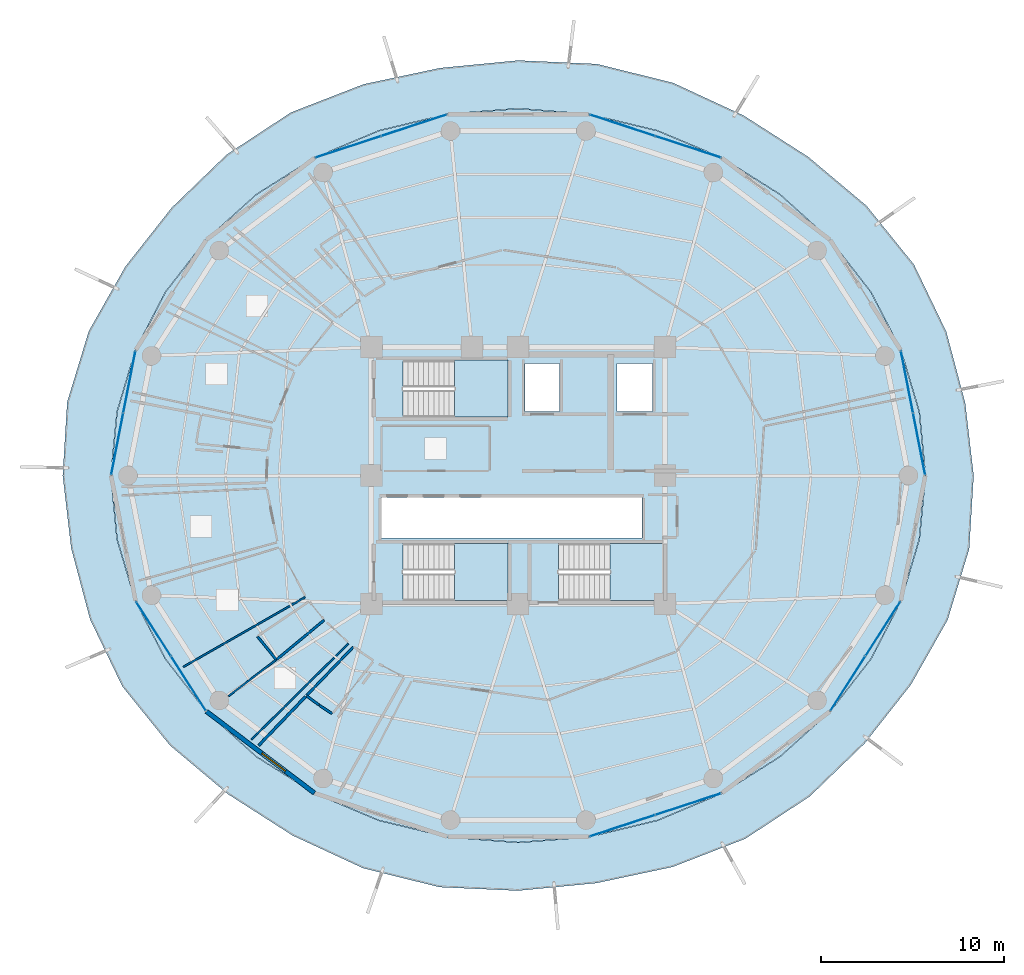
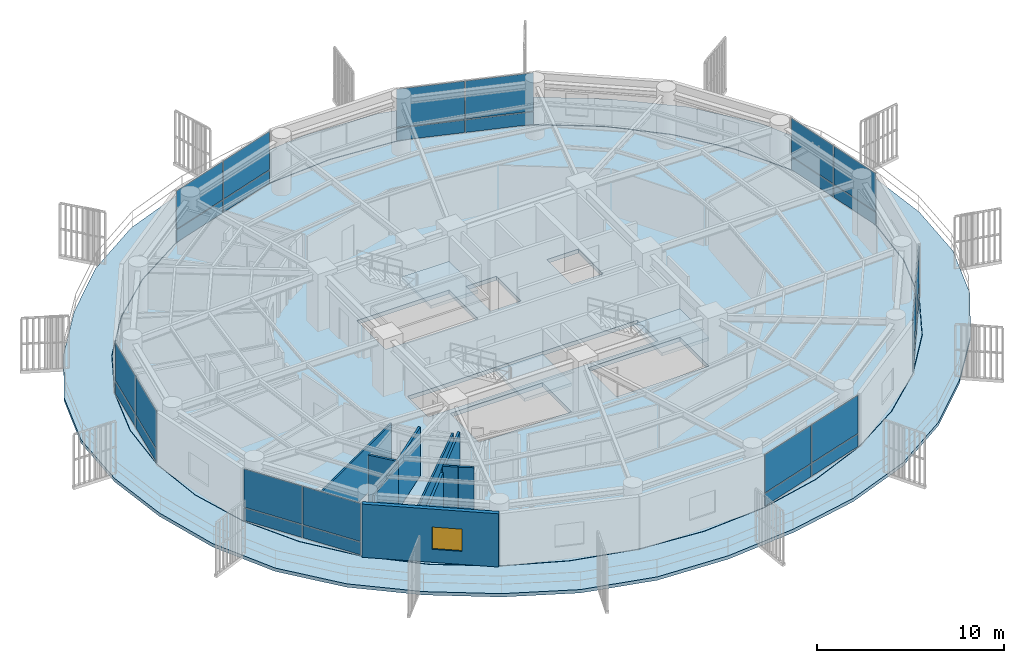
# One storey, part 22 of 30: 28 plates, 10 walls, 5 slabs, 1 window, 1 opening, 10 elements without a shape of their own.
"""IFC4 building model written with IfcOpenShell, lengths in metres."""

from ifc_helpers import new_model, si_unit, direction, frame, frame_2d, origin, origin_2d, place, context, subcontext, project, spatial, polyline, rectangle, outline, extrude, source, transform, mapped, material, layer, layer_set, type_object, element, fill, aggregate, save


model = new_model("IFC4")

# Units and contexts
model_context = context("Model", 3, precision=1e-05, world=origin(), true_north=direction((0.0, 1.0)))
body_context = subcontext(model_context, "Body", "Model", "MODEL_VIEW")
ifc_project = project(units=[si_unit("LENGTHUNIT", "METRE"), si_unit("AREAUNIT", "SQUARE_METRE"), si_unit("VOLUMEUNIT", "CUBIC_METRE"), si_unit("PLANEANGLEUNIT", "RADIAN"), si_unit("MASSUNIT", "GRAM", prefix="KILO")], contexts=[model_context])

# Site, building, storey
site_placement = place(None, origin())
site = spatial("IfcSite", under=ifc_project, at=site_placement, CompositionType="ELEMENT")
building_placement = place(site_placement, origin())
building = spatial("IfcBuilding", under=site, at=building_placement, Name="Kelanora Arch Commons", CompositionType="ELEMENT")
storey_placement = place(building_placement, frame((0.0, 0.0, 204.449951171875)))
storey = spatial("IfcBuildingStorey", under=building, at=storey_placement, Name="L52", CompositionType="ELEMENT", Elevation=204.449951171875)

# Stair, slab
ifc_material_1 = material(Name="Concrete C40/50", Category="concrete")
stair_type = type_object("IfcStairType", Name="STR-DL-375", PredefinedType="HALF_TURN_STAIR", material=ifc_material_1)
stair_1_placement = place(storey_placement, origin())
stair_1 = element("IfcStair", 1, at=stair_1_placement, inside=storey, type_object=stair_type, Name="L52 ST-T1", PredefinedType="HALF_TURN_STAIR")
ifc_layer_1 = layer(ifc_material_1, 0.199951171875)
ifc_layer_set_1 = layer_set([ifc_layer_1], Name="Concrete C40/50")
slab_type_1 = type_object("IfcSlabType", Name="SLB-STAIR-LND", PredefinedType="LANDING", material=ifc_layer_set_1)
slab_1_placement = place(storey_placement, frame((0.0, 0.0, 1.675048828125)))
slab_1 = element("IfcSlab", 2, at=slab_1_placement, type_object=slab_type_1, Name="ST-T1 landing 1", PredefinedType="LANDING", context=body_context, shape_type="SweptSolid", body=[
    extrude(outline(polyline([(70.52001953125, 61.179931640625), (73.43994140625, 61.179931640625), (73.43994140625, 64.2900390625), (70.52001953125, 64.2900390625), (70.52001953125, 61.179931640625)])), origin(), (0.0, 0.0, 1.0), 0.199951171875),
])
aggregate(stair_1, [slab_1])

stair_2_placement = place(storey_placement, origin())
stair_2 = element("IfcStair", 3, at=stair_2_placement, inside=storey, type_object=stair_type, Name="L52 ST-T2", PredefinedType="HALF_TURN_STAIR")
slab_2_placement = place(storey_placement, frame((0.0, 0.0, 1.675048828125)))
slab_2 = element("IfcSlab", 4, at=slab_2_placement, type_object=slab_type_1, Name="ST-T2 landing 1", PredefinedType="LANDING", context=body_context, shape_type="SweptSolid", body=[
    extrude(outline(polyline([(79.0, 51.179931640625), (81.919921875, 51.179931640625), (81.919921875, 54.2900390625), (79.0, 54.2900390625), (79.0, 51.179931640625)])), origin(), (0.0, 0.0, 1.0), 0.199951171875),
])
aggregate(stair_2, [slab_2])

stair_3_placement = place(storey_placement, origin())
stair_3 = element("IfcStair", 5, at=stair_3_placement, inside=storey, type_object=stair_type, Name="L52 ST-T3", PredefinedType="HALF_TURN_STAIR")
slab_3_placement = place(storey_placement, frame((0.0, 0.0, 1.675048828125)))
slab_3 = element("IfcSlab", 6, at=slab_3_placement, type_object=slab_type_1, Name="ST-T3 landing 1", PredefinedType="LANDING", context=body_context, shape_type="SweptSolid", body=[
    extrude(outline(polyline([(70.52001953125, 51.179931640625), (73.43994140625, 51.179931640625), (73.43994140625, 54.2900390625), (70.52001953125, 54.2900390625), (70.52001953125, 51.179931640625)])), origin(), (0.0, 0.0, 1.0), 0.199951171875),
])
aggregate(stair_3, [slab_3])

# Slabs
ifc_layer_2 = layer(ifc_material_1, 0.260009765625)
ifc_layer_set_2 = layer_set([ifc_layer_2], Name="Concrete C40/50")
slab_type_2 = type_object("IfcSlabType", Name="SLB-TWR-TYP", PredefinedType="FLOOR", material=ifc_layer_set_2)
slab_4_placement = place(storey_placement, frame((0.0, 0.0, -0.260009765625)))
element("IfcSlab", 7, at=slab_4_placement, inside=storey, type_object=slab_type_2, Name="Tower Floor Slab L52", PredefinedType="FLOOR", context=body_context, shape_type="SweptSolid", body=[
    extrude(outline(polyline([(96.199951171875, 58.0), (95.86279296875, 61.472900390625), (94.861083984375, 64.84033203125), (93.225830078125, 68.0), (91.006103515625, 70.855712890625), (88.27001953125, 73.32080078125), (85.10009765625, 75.320556640625), (81.5927734375, 76.7939453125), (77.85498046875, 77.6962890625), (74.0, 78.0), (70.14501953125, 77.6962890625), (66.4072265625, 76.7939453125), (62.89990234375, 75.320556640625), (59.72998046875, 73.32080078125), (56.993896484375, 70.855712890625), (54.774169921875, 68.0), (53.138916015625, 64.84033203125), (52.13720703125, 61.472900390625), (51.800048828125, 58.0), (52.13720703125, 54.527099609375), (53.138916015625, 51.15966796875), (54.774169921875, 48.0), (56.993896484375, 45.144287109375), (59.72998046875, 42.67919921875), (62.89990234375, 40.679443359375), (66.4072265625, 39.2060546875), (70.14501953125, 38.3037109375), (74.0, 38.0), (77.85498046875, 38.3037109375), (81.5927734375, 39.2060546875), (85.10009765625, 40.679443359375), (88.27001953125, 42.67919921875), (91.006103515625, 45.144287109375), (93.225830078125, 48.0), (94.861083984375, 51.15966796875), (95.86279296875, 54.527099609375), (96.199951171875, 58.0)]), holes=[polyline([(73.431884765625, 51.18798828125), (67.72802734375, 51.18798828125), (67.72802734375, 54.281982421875), (73.431884765625, 54.281982421875), (73.431884765625, 51.18798828125)]), polyline([(76.2080078125, 51.18798828125), (76.2080078125, 54.281982421875), (81.912109375, 54.281982421875), (81.912109375, 51.18798828125), (76.2080078125, 51.18798828125)]), polyline([(66.550048828125, 54.60009765625), (66.550048828125, 56.800048828125), (80.75, 56.800048828125), (80.75, 54.60009765625), (66.550048828125, 54.60009765625)]), polyline([(73.431884765625, 61.18798828125), (67.72802734375, 61.18798828125), (67.72802734375, 64.281982421875), (73.431884765625, 64.281982421875), (73.431884765625, 61.18798828125)]), polyline([(74.3798828125, 61.47998046875), (74.3798828125, 64.1201171875), (76.260009765625, 64.1201171875), (76.260009765625, 61.47998046875), (74.3798828125, 61.47998046875)]), polyline([(79.3798828125, 61.47998046875), (79.3798828125, 64.1201171875), (81.320068359375, 64.1201171875), (81.320068359375, 61.47998046875), (79.3798828125, 61.47998046875)])]), origin(), (0.0, 0.0, 1.0), 0.260009765625),
])
ifc_layer_3 = layer(ifc_material_1, 0.219970703125)
ifc_layer_set_3 = layer_set([ifc_layer_3], Name="Concrete C40/50")
slab_type_3 = type_object("IfcSlabType", Name="SLB-WAVE-BAL", PredefinedType="FLOOR", material=ifc_layer_set_3)
slab_5_placement = place(storey_placement, frame((0.0, 0.0, -0.219970703125)))
element("IfcSlab", 8, at=slab_5_placement, inside=storey, type_object=slab_type_3, Name="Sinusoidal Wave Balcony Slab L52", PredefinedType="FLOOR", context=body_context, shape_type="SweptSolid", body=[
    extrude(outline(polyline([(98.836181640625, 58.0), (98.3740234375, 61.964599609375), (97.343505859375, 65.84326171875), (95.5791015625, 69.50830078125), (92.9951171875, 72.708251953125), (89.821533203125, 75.37353515625), (86.2998046875, 77.627197265625), (82.450927734375, 79.410888671875), (78.291259765625, 80.442626953125), (74.0, 80.635986328125), (69.74365234375, 80.223388671875), (65.572998046875, 79.337646484375), (61.610107421875, 77.80029296875), (58.091064453125, 75.4892578125), (55.11083984375, 72.609619140625), (52.585205078125, 69.40283203125), (50.585205078125, 65.8720703125), (49.407958984375, 62.007080078125), (49.163818359375, 58.0), (49.6259765625, 54.035400390625), (50.656494140625, 50.15673828125), (52.4208984375, 46.49169921875), (55.0048828125, 43.291748046875), (58.178466796875, 40.62646484375), (61.7001953125, 38.372802734375), (65.549072265625, 36.589111328125), (69.708740234375, 35.557373046875), (74.0, 35.364013671875), (78.25634765625, 35.776611328125), (82.427001953125, 36.662353515625), (86.389892578125, 38.19970703125), (89.908935546875, 40.5107421875), (92.88916015625, 43.390380859375), (95.414794921875, 46.59716796875), (97.414794921875, 50.1279296875), (98.592041015625, 53.992919921875), (98.836181640625, 58.0)]), holes=[polyline([(95.88232421875, 54.523681640625), (94.8798828125, 51.15283203125), (93.2431640625, 47.989990234375), (91.021484375, 45.13134765625), (88.28271484375, 42.663818359375), (85.110107421875, 40.662109375), (81.599609375, 39.1875), (77.8583984375, 38.2841796875), (74.0, 37.97998046875), (70.1416015625, 38.2841796875), (66.400390625, 39.1875), (62.889892578125, 40.662109375), (59.71728515625, 42.663818359375), (56.978515625, 45.13134765625), (54.7568359375, 47.989990234375), (53.1201171875, 51.15283203125), (52.11767578125, 54.523681640625), (51.780029296875, 58.0), (52.11767578125, 61.476318359375), (53.1201171875, 64.84716796875), (54.7568359375, 68.010009765625), (56.978515625, 70.86865234375), (59.71728515625, 73.336181640625), (62.889892578125, 75.337890625), (66.400390625, 76.8125), (70.1416015625, 77.7158203125), (74.0, 78.02001953125), (77.8583984375, 77.7158203125), (81.599609375, 76.8125), (85.110107421875, 75.337890625), (88.28271484375, 73.336181640625), (91.021484375, 70.86865234375), (93.2431640625, 68.010009765625), (94.8798828125, 64.84716796875), (95.88232421875, 61.476318359375), (96.219970703125, 58.0), (95.88232421875, 54.523681640625)])]), origin(), (0.0, 0.0, 1.0), 0.219970703125),
])

# Curtain wall, plates
ifc_material_2 = material(Name="Terracotta ceramic-fritted low-E glass and aluminium", Category="masonry")
ifc_layer_4 = layer(ifc_material_2, 0.175048828125)
ifc_layer_set_4 = layer_set([ifc_layer_4], Name="Terracotta ceramic-fritted low-E glass and aluminium")
curtain_wall_type = type_object("IfcCurtainWallType", Name="CW-SYS-02", PredefinedType="NOTDEFINED", material=ifc_layer_set_4)
curtain_wall_1_placement = place(storey_placement, origin())
curtain_wall_1 = element("IfcCurtainWall", 9, at=curtain_wall_1_placement, inside=storey, type_object=curtain_wall_type, Name="Unitised Curtain Wall L52-B00", PredefinedType="NOTDEFINED")
ifc_material_3 = material(Name="Terracotta ceramic-fritted double glazing", Category="masonry")
ifc_layer_5 = layer(ifc_material_3, 0.028076171875)
ifc_layer_set_5 = layer_set([ifc_layer_5], Name="Terracotta ceramic-fritted double glazing")
plate_type = type_object("IfcPlateType", Name="CWP-FRIT", PredefinedType="CURTAIN_PANEL", material=ifc_layer_set_5)
shared_shape_1 = source(origin(), body_context, "Body", "SweptSolid", [
    extrude(rectangle(XDim=3.380126953125, YDim=0.028076171875, at=origin_2d()), origin(), (0.0, 0.0, 1.0), 0.81005859375),
])
plate_1_placement = place(storey_placement, frame((95.861083984375, 59.732177734375, 0.06005859375), z_axis=(0.0, 0.0, 1.0), x_axis=(-0.192068926335, 0.981381438349, 0.0)))
plate_1 = element("IfcPlate", 10, at=plate_1_placement, type_object=plate_type, Name="CW-02 panel 1.1", PredefinedType="CURTAIN_PANEL", context=body_context, shape_type="MappedRepresentation", body=[
    mapped(shared_shape_1, transform((0.0, 0.0, 0.0), scale=1.0)),
])
plate_2_placement = place(storey_placement, frame((95.2001953125, 63.108154296875, 0.06005859375), z_axis=(0.0, 0.0, 1.0), x_axis=(-0.192068926335, 0.981381438349, 0.0)))
plate_2 = element("IfcPlate", 11, at=plate_2_placement, type_object=plate_type, Name="CW-02 panel 2.1", PredefinedType="CURTAIN_PANEL", context=body_context, shape_type="MappedRepresentation", body=[
    mapped(shared_shape_1, transform((0.0, 0.0, 0.0), scale=1.0)),
])

curtain_wall_2_placement = place(storey_placement, origin())
curtain_wall_2 = element("IfcCurtainWall", 12, at=curtain_wall_2_placement, inside=storey, type_object=curtain_wall_type, Name="Unitised Curtain Wall L52-B08", PredefinedType="NOTDEFINED")
plate_3_placement = place(storey_placement, frame((52.7998046875, 63.108154296875, 0.06005859375), z_axis=(0.0, 0.0, 1.0), x_axis=(-0.192068926335, -0.981381438349, 0.0)))
plate_3 = element("IfcPlate", 13, at=plate_3_placement, type_object=plate_type, Name="CW-02 panel 1.1", PredefinedType="CURTAIN_PANEL", context=body_context, shape_type="MappedRepresentation", body=[
    mapped(shared_shape_1, transform((0.0, 0.0, 0.0), scale=1.0)),
])
plate_4_placement = place(storey_placement, frame((52.138916015625, 59.732177734375, 0.06005859375), z_axis=(0.0, 0.0, 1.0), x_axis=(-0.192068926335, -0.981381438349, 0.0)))
plate_4 = element("IfcPlate", 14, at=plate_4_placement, type_object=plate_type, Name="CW-02 panel 2.1", PredefinedType="CURTAIN_PANEL", context=body_context, shape_type="MappedRepresentation", body=[
    mapped(shared_shape_1, transform((0.0, 0.0, 0.0), scale=1.0)),
])

# Plate
shared_shape_2 = source(origin(), body_context, "Body", "SweptSolid", [
    extrude(rectangle(XDim=3.380126953125, YDim=0.028076171875, at=origin_2d()), origin(), (0.0, 0.0, 1.0), 2.485107421875),
])
plate_5_placement = place(storey_placement, frame((95.861083984375, 59.732177734375, 0.93017578125), z_axis=(0.0, 0.0, 1.0), x_axis=(-0.192068926335, 0.981381438349, 0.0)))
plate_5 = element("IfcPlate", 15, at=plate_5_placement, type_object=plate_type, Name="CW-02 panel 1.2", PredefinedType="CURTAIN_PANEL", context=body_context, shape_type="MappedRepresentation", body=[
    mapped(shared_shape_2, transform((0.0, 0.0, 0.0), scale=1.0)),
])

plate_6_placement = place(storey_placement, frame((95.2001953125, 63.108154296875, 0.93017578125), z_axis=(0.0, 0.0, 1.0), x_axis=(-0.192068926335, 0.981381438349, 0.0)))
plate_6 = element("IfcPlate", 16, at=plate_6_placement, type_object=plate_type, Name="CW-02 panel 2.2", PredefinedType="CURTAIN_PANEL", context=body_context, shape_type="MappedRepresentation", body=[
    mapped(shared_shape_2, transform((0.0, 0.0, 0.0), scale=1.0)),
])

aggregate(curtain_wall_1, [plate_1, plate_5, plate_2, plate_6])

plate_7_placement = place(storey_placement, frame((52.7998046875, 63.108154296875, 0.93017578125), z_axis=(0.0, 0.0, 1.0), x_axis=(-0.192068926335, -0.981381438349, 0.0)))
plate_7 = element("IfcPlate", 17, at=plate_7_placement, type_object=plate_type, Name="CW-02 panel 1.2", PredefinedType="CURTAIN_PANEL", context=body_context, shape_type="MappedRepresentation", body=[
    mapped(shared_shape_2, transform((0.0, 0.0, 0.0), scale=1.0)),
])

plate_8_placement = place(storey_placement, frame((52.138916015625, 59.732177734375, 0.93017578125), z_axis=(0.0, 0.0, 1.0), x_axis=(-0.192068926335, -0.981381438349, 0.0)))
plate_8 = element("IfcPlate", 18, at=plate_8_placement, type_object=plate_type, Name="CW-02 panel 2.2", PredefinedType="CURTAIN_PANEL", context=body_context, shape_type="MappedRepresentation", body=[
    mapped(shared_shape_2, transform((0.0, 0.0, 0.0), scale=1.0)),
])

aggregate(curtain_wall_2, [plate_3, plate_7, plate_4, plate_8])

# Curtain wall, plates
curtain_wall_3_placement = place(storey_placement, origin())
curtain_wall_3 = element("IfcCurtainWall", 19, at=curtain_wall_3_placement, inside=storey, type_object=curtain_wall_type, Name="Unitised Curtain Wall L52-B03", PredefinedType="NOTDEFINED")
shared_shape_3 = source(origin(), body_context, "Body", "SweptSolid", [
    extrude(rectangle(XDim=3.707275390625, YDim=0.028076171875, at=origin_2d()), origin(), (0.0, 0.0, 1.0), 0.81005859375),
])
plate_9_placement = place(storey_placement, frame((83.267333984375, 75.92138671875, 0.06005859375), z_axis=(0.0, 0.0, 1.0), x_axis=(-0.950219124029, 0.311582439059, 0.0)))
plate_9 = element("IfcPlate", 20, at=plate_9_placement, type_object=plate_type, Name="CW-02 panel 1.1", PredefinedType="CURTAIN_PANEL", context=body_context, shape_type="MappedRepresentation", body=[
    mapped(shared_shape_3, transform((0.0, 0.0, 0.0), scale=1.0)),
])
plate_10_placement = place(storey_placement, frame((79.687744140625, 77.09521484375, 0.06005859375), z_axis=(0.0, 0.0, 1.0), x_axis=(-0.950219124029, 0.311582439059, 0.0)))
plate_10 = element("IfcPlate", 21, at=plate_10_placement, type_object=plate_type, Name="CW-02 panel 2.1", PredefinedType="CURTAIN_PANEL", context=body_context, shape_type="MappedRepresentation", body=[
    mapped(shared_shape_3, transform((0.0, 0.0, 0.0), scale=1.0)),
])

curtain_wall_4_placement = place(storey_placement, origin())
curtain_wall_4 = element("IfcCurtainWall", 22, at=curtain_wall_4_placement, inside=storey, type_object=curtain_wall_type, Name="Unitised Curtain Wall L52-B05", PredefinedType="NOTDEFINED")
plate_11_placement = place(storey_placement, frame((68.312255859375, 77.09521484375, 0.06005859375), z_axis=(0.0, 0.0, 1.0), x_axis=(-0.950219124029, -0.311582439059, 0.0)))
plate_11 = element("IfcPlate", 23, at=plate_11_placement, type_object=plate_type, Name="CW-02 panel 1.1", PredefinedType="CURTAIN_PANEL", context=body_context, shape_type="MappedRepresentation", body=[
    mapped(shared_shape_3, transform((0.0, 0.0, 0.0), scale=1.0)),
])
plate_12_placement = place(storey_placement, frame((64.732666015625, 75.92138671875, 0.06005859375), z_axis=(0.0, 0.0, 1.0), x_axis=(-0.950219124029, -0.311582439059, 0.0)))
plate_12 = element("IfcPlate", 24, at=plate_12_placement, type_object=plate_type, Name="CW-02 panel 2.1", PredefinedType="CURTAIN_PANEL", context=body_context, shape_type="MappedRepresentation", body=[
    mapped(shared_shape_3, transform((0.0, 0.0, 0.0), scale=1.0)),
])

curtain_wall_5_placement = place(storey_placement, origin())
curtain_wall_5 = element("IfcCurtainWall", 25, at=curtain_wall_5_placement, inside=storey, type_object=curtain_wall_type, Name="Unitised Curtain Wall L52-B14", PredefinedType="NOTDEFINED")
plate_13_placement = place(storey_placement, frame((79.687744140625, 38.90478515625, 0.06005859375), z_axis=(0.0, 0.0, 1.0), x_axis=(0.950219124029, 0.311582439059, 0.0)))
plate_13 = element("IfcPlate", 26, at=plate_13_placement, type_object=plate_type, Name="CW-02 panel 1.1", PredefinedType="CURTAIN_PANEL", context=body_context, shape_type="MappedRepresentation", body=[
    mapped(shared_shape_3, transform((0.0, 0.0, 0.0), scale=1.0)),
])
plate_14_placement = place(storey_placement, frame((83.267333984375, 40.07861328125, 0.06005859375), z_axis=(0.0, 0.0, 1.0), x_axis=(0.950219124029, 0.311582439059, 0.0)))
plate_14 = element("IfcPlate", 27, at=plate_14_placement, type_object=plate_type, Name="CW-02 panel 2.1", PredefinedType="CURTAIN_PANEL", context=body_context, shape_type="MappedRepresentation", body=[
    mapped(shared_shape_3, transform((0.0, 0.0, 0.0), scale=1.0)),
])

# Plate
shared_shape_4 = source(origin(), body_context, "Body", "SweptSolid", [
    extrude(rectangle(XDim=3.707275390625, YDim=0.028076171875, at=origin_2d()), origin(), (0.0, 0.0, 1.0), 2.485107421875),
])
plate_15_placement = place(storey_placement, frame((83.267333984375, 75.92138671875, 0.93017578125), z_axis=(0.0, 0.0, 1.0), x_axis=(-0.950219124029, 0.311582439059, 0.0)))
plate_15 = element("IfcPlate", 28, at=plate_15_placement, type_object=plate_type, Name="CW-02 panel 1.2", PredefinedType="CURTAIN_PANEL", context=body_context, shape_type="MappedRepresentation", body=[
    mapped(shared_shape_4, transform((0.0, 0.0, 0.0), scale=1.0)),
])

plate_16_placement = place(storey_placement, frame((79.687744140625, 77.09521484375, 0.93017578125), z_axis=(0.0, 0.0, 1.0), x_axis=(-0.950219124029, 0.311582439059, 0.0)))
plate_16 = element("IfcPlate", 29, at=plate_16_placement, type_object=plate_type, Name="CW-02 panel 2.2", PredefinedType="CURTAIN_PANEL", context=body_context, shape_type="MappedRepresentation", body=[
    mapped(shared_shape_4, transform((0.0, 0.0, 0.0), scale=1.0)),
])

aggregate(curtain_wall_3, [plate_9, plate_15, plate_10, plate_16])

plate_17_placement = place(storey_placement, frame((68.312255859375, 77.09521484375, 0.93017578125), z_axis=(0.0, 0.0, 1.0), x_axis=(-0.950219124029, -0.311582439059, 0.0)))
plate_17 = element("IfcPlate", 30, at=plate_17_placement, type_object=plate_type, Name="CW-02 panel 1.2", PredefinedType="CURTAIN_PANEL", context=body_context, shape_type="MappedRepresentation", body=[
    mapped(shared_shape_4, transform((0.0, 0.0, 0.0), scale=1.0)),
])

plate_18_placement = place(storey_placement, frame((64.732666015625, 75.92138671875, 0.93017578125), z_axis=(0.0, 0.0, 1.0), x_axis=(-0.950219124029, -0.311582439059, 0.0)))
plate_18 = element("IfcPlate", 31, at=plate_18_placement, type_object=plate_type, Name="CW-02 panel 2.2", PredefinedType="CURTAIN_PANEL", context=body_context, shape_type="MappedRepresentation", body=[
    mapped(shared_shape_4, transform((0.0, 0.0, 0.0), scale=1.0)),
])

aggregate(curtain_wall_4, [plate_11, plate_17, plate_12, plate_18])

plate_19_placement = place(storey_placement, frame((79.687744140625, 38.90478515625, 0.93017578125), z_axis=(0.0, 0.0, 1.0), x_axis=(0.950219124029, 0.311582439059, 0.0)))
plate_19 = element("IfcPlate", 32, at=plate_19_placement, type_object=plate_type, Name="CW-02 panel 1.2", PredefinedType="CURTAIN_PANEL", context=body_context, shape_type="MappedRepresentation", body=[
    mapped(shared_shape_4, transform((0.0, 0.0, 0.0), scale=1.0)),
])

plate_20_placement = place(storey_placement, frame((83.267333984375, 40.07861328125, 0.93017578125), z_axis=(0.0, 0.0, 1.0), x_axis=(0.950219124029, 0.311582439059, 0.0)))
plate_20 = element("IfcPlate", 33, at=plate_20_placement, type_object=plate_type, Name="CW-02 panel 2.2", PredefinedType="CURTAIN_PANEL", context=body_context, shape_type="MappedRepresentation", body=[
    mapped(shared_shape_4, transform((0.0, 0.0, 0.0), scale=1.0)),
])

aggregate(curtain_wall_5, [plate_13, plate_19, plate_14, plate_20])

# Curtain wall, plates
curtain_wall_6_placement = place(storey_placement, origin())
curtain_wall_6 = element("IfcCurtainWall", 34, at=curtain_wall_6_placement, inside=storey, type_object=curtain_wall_type, Name="Unitised Curtain Wall L52-B10", PredefinedType="NOTDEFINED")
shared_shape_5 = source(origin(), body_context, "Body", "SweptSolid", [
    extrude(rectangle(XDim=3.46728515625, YDim=0.028076171875, at=origin_2d()), origin(), (0.0, 0.0, 1.0), 0.81005859375),
])
plate_21_placement = place(storey_placement, frame((54.11474609375, 49.63671875, 0.06005859375), z_axis=(0.0, 0.0, 1.0), x_axis=(0.539559338994, -0.84194757539, 0.0)))
plate_21 = element("IfcPlate", 35, at=plate_21_placement, type_object=plate_type, Name="CW-02 panel 1.1", PredefinedType="CURTAIN_PANEL", context=body_context, shape_type="MappedRepresentation", body=[
    mapped(shared_shape_5, transform((0.0, 0.0, 0.0), scale=1.0)),
])
plate_22_placement = place(storey_placement, frame((56.017822265625, 46.6669921875, 0.06005859375), z_axis=(0.0, 0.0, 1.0), x_axis=(0.539559338994, -0.84194757539, 0.0)))
plate_22 = element("IfcPlate", 36, at=plate_22_placement, type_object=plate_type, Name="CW-02 panel 2.1", PredefinedType="CURTAIN_PANEL", context=body_context, shape_type="MappedRepresentation", body=[
    mapped(shared_shape_5, transform((0.0, 0.0, 0.0), scale=1.0)),
])

curtain_wall_7_placement = place(storey_placement, origin())
curtain_wall_7 = element("IfcCurtainWall", 37, at=curtain_wall_7_placement, inside=storey, type_object=curtain_wall_type, Name="Unitised Curtain Wall L52-B16", PredefinedType="NOTDEFINED")
plate_23_placement = place(storey_placement, frame((91.982177734375, 46.6669921875, 0.06005859375), z_axis=(0.0, 0.0, 1.0), x_axis=(0.539559338994, 0.84194757539, 0.0)))
plate_23 = element("IfcPlate", 38, at=plate_23_placement, type_object=plate_type, Name="CW-02 panel 1.1", PredefinedType="CURTAIN_PANEL", context=body_context, shape_type="MappedRepresentation", body=[
    mapped(shared_shape_5, transform((0.0, 0.0, 0.0), scale=1.0)),
])
plate_24_placement = place(storey_placement, frame((93.88525390625, 49.63671875, 0.06005859375), z_axis=(0.0, 0.0, 1.0), x_axis=(0.539559338994, 0.84194757539, 0.0)))
plate_24 = element("IfcPlate", 39, at=plate_24_placement, type_object=plate_type, Name="CW-02 panel 2.1", PredefinedType="CURTAIN_PANEL", context=body_context, shape_type="MappedRepresentation", body=[
    mapped(shared_shape_5, transform((0.0, 0.0, 0.0), scale=1.0)),
])

# Plate
shared_shape_6 = source(origin(), body_context, "Body", "SweptSolid", [
    extrude(rectangle(XDim=3.46728515625, YDim=0.028076171875, at=origin_2d()), origin(), (0.0, 0.0, 1.0), 2.485107421875),
])
plate_25_placement = place(storey_placement, frame((54.11474609375, 49.63671875, 0.93017578125), z_axis=(0.0, 0.0, 1.0), x_axis=(0.539559338994, -0.84194757539, 0.0)))
plate_25 = element("IfcPlate", 40, at=plate_25_placement, type_object=plate_type, Name="CW-02 panel 1.2", PredefinedType="CURTAIN_PANEL", context=body_context, shape_type="MappedRepresentation", body=[
    mapped(shared_shape_6, transform((0.0, 0.0, 0.0), scale=1.0)),
])

plate_26_placement = place(storey_placement, frame((56.017822265625, 46.6669921875, 0.93017578125), z_axis=(0.0, 0.0, 1.0), x_axis=(0.539559338994, -0.84194757539, 0.0)))
plate_26 = element("IfcPlate", 41, at=plate_26_placement, type_object=plate_type, Name="CW-02 panel 2.2", PredefinedType="CURTAIN_PANEL", context=body_context, shape_type="MappedRepresentation", body=[
    mapped(shared_shape_6, transform((0.0, 0.0, 0.0), scale=1.0)),
])

aggregate(curtain_wall_6, [plate_21, plate_25, plate_22, plate_26])

plate_27_placement = place(storey_placement, frame((91.982177734375, 46.6669921875, 0.93017578125), z_axis=(0.0, 0.0, 1.0), x_axis=(0.539559338994, 0.84194757539, 0.0)))
plate_27 = element("IfcPlate", 42, at=plate_27_placement, type_object=plate_type, Name="CW-02 panel 1.2", PredefinedType="CURTAIN_PANEL", context=body_context, shape_type="MappedRepresentation", body=[
    mapped(shared_shape_6, transform((0.0, 0.0, 0.0), scale=1.0)),
])

plate_28_placement = place(storey_placement, frame((93.88525390625, 49.63671875, 0.93017578125), z_axis=(0.0, 0.0, 1.0), x_axis=(0.539559338994, 0.84194757539, 0.0)))
plate_28 = element("IfcPlate", 43, at=plate_28_placement, type_object=plate_type, Name="CW-02 panel 2.2", PredefinedType="CURTAIN_PANEL", context=body_context, shape_type="MappedRepresentation", body=[
    mapped(shared_shape_6, transform((0.0, 0.0, 0.0), scale=1.0)),
])

aggregate(curtain_wall_7, [plate_23, plate_27, plate_24, plate_28])

# Wall
ifc_material_4 = material(Name="Autoclaved aerated concrete blockwork with fire plaster", Category="masonry")
ifc_layer_6 = layer(ifc_material_4, 0.14990234375)
ifc_layer_set_6 = layer_set([ifc_layer_6], Name="Autoclaved aerated concrete blockwork with fire plaster")
wall_type_1 = type_object("IfcWallType", Name="W-COMP-150", PredefinedType="PARTITIONING", material=ifc_layer_set_6)
wall_1_placement = place(storey_placement, frame((59.854736328125, 43.287841796875, 0.0), z_axis=(0.0, 0.0, 1.0), x_axis=(0.692562282737, 0.72135808343, 0.0)))
element("IfcWall", 44, at=wall_1_placement, inside=storey, type_object=wall_type_1, Name="Co-Living Studio L52-08 Enclosure Partition 5", PredefinedType="PARTITIONING", context=body_context, shape_type="SweptSolid", body=[
    extrude(rectangle(XDim=3.671142578125, YDim=0.14990234375, at=frame_2d((1.83544921875, 0.0))), origin(), (0.0, 0.0, 1.0), 3.074951171875),
])

# Wall, opening, window
ifc_material_5 = material(Name="Precast concrete C40/50 upper-zone terracotta rainscreen", Category="masonry")
ifc_layer_7 = layer(ifc_material_5, 0.239990234375)
ifc_layer_set_7 = layer_set([ifc_layer_7], Name="Precast concrete C40/50 upper-zone terracotta rainscreen")
wall_type_2 = type_object("IfcWallType", Name="W-EXT-TC2", PredefinedType="SOLIDWALL", material=ifc_layer_set_7)
wall_2_placement = place(storey_placement, frame((57.005859375, 45.13525390625, 0.0), z_axis=(0.0, 0.0, 1.0), x_axis=(0.797701674595, -0.603052268338, 0.0)))
wall_2 = element("IfcWall", 45, at=wall_2_placement, inside=storey, type_object=wall_type_2, Name="Terracotta Exterior Wall L52-B11", PredefinedType="SOLIDWALL", context=body_context, shape_type="SweptSolid", body=[
    extrude(rectangle(XDim=7.373779296875, YDim=0.239990234375, at=frame_2d((3.68701171875, 0.0))), origin(), (0.0, 0.0, 1.0), 3.47509765625),
])
opening_placement = place(wall_2_placement, frame((3.787109375, 0.0, 0.85009765625)))
opening = element("IfcOpeningElement", 46, at=opening_placement, cuts=wall_2, Name="Opening WN-01", PredefinedType="OPENING", context=body_context, shape_type="SweptSolid", body=[
    extrude(rectangle(XDim=1.60009765625, YDim=1.449951171875, at=frame_2d((0.800048828125, 0.72509765625))), frame((0.0, 0.1298828125, 0.0), z_axis=(0.0, -1.0, 0.0), x_axis=(1.0, 0.0, 0.0)), (0.0, 0.0, 1.0), 0.260009765625),
])
ifc_material_6 = material(Name="Terracotta-anodised aluminium frame with operable low-E glazing", Category="masonry")
window_type = type_object("IfcWindowType", Name="WIN-CL-18", PartitioningType="DOUBLE_PANEL_VERTICAL", PredefinedType="WINDOW", material=ifc_material_6)
window_placement = place(opening_placement, origin())
window = element("IfcWindow", 47, at=window_placement, inside=storey, type_object=window_type, Name="Co-Living Operable Window L52-B11", OverallHeight=1.449951171875, OverallWidth=1.60009765625, PartitioningType="SINGLE_PANEL", PredefinedType="WINDOW", context=body_context, shape_type="SweptSolid", body=[
    extrude(rectangle(XDim=1.60009765625, YDim=1.449951171875, at=frame_2d((0.800048828125, 0.72509765625))), frame((0.0, 0.030029296875, 0.0), z_axis=(0.0, -1.0, 0.0), x_axis=(1.0, 0.0, 0.0)), (0.0, 0.0, 1.0), 0.06005859375),
])
fill(opening, window)

# Walls
ifc_material_7 = material(Name="Lightweight fire-rated acoustic stud partition")
ifc_layer_8 = layer(ifc_material_7, 0.10009765625)
ifc_layer_set_8 = layer_set([ifc_layer_8], Name="Lightweight fire-rated acoustic stud partition")
wall_type_3 = type_object("IfcWallType", Name="W-PART-100", PredefinedType="PARTITIONING", material=ifc_layer_set_8)
wall_3_placement = place(storey_placement, frame((62.37939453125, 51.364013671875, 0.0), z_axis=(0.0, 0.0, 1.0), x_axis=(-0.868127220156, -0.496341746808, 0.0)))
element("IfcWall", 48, at=wall_3_placement, inside=storey, type_object=wall_type_3, Name="Social Sky Lounge L52-06 Enclosure Partition 2", PredefinedType="PARTITIONING", context=body_context, shape_type="SweptSolid", body=[
    extrude(rectangle(XDim=7.648193359375, YDim=0.10009765625, at=frame_2d((3.82421875, 0.0))), origin(), (0.0, 0.0, 1.0), 3.025146484375),
])
wall_4_placement = place(storey_placement, frame((64.74462890625, 48.8408203125, 0.0), z_axis=(0.0, 0.0, 1.0), x_axis=(-0.710363664194, -0.703834827635, 0.0)))
element("IfcWall", 49, at=wall_4_placement, inside=storey, type_object=wall_type_3, Name="Tutorial Study Alcove L52-07 Enclosure Partition 2", PredefinedType="PARTITIONING", context=body_context, shape_type="SweptSolid", body=[
    extrude(rectangle(XDim=7.44140625, YDim=0.10009765625, at=frame_2d((3.720703125, 0.0))), origin(), (0.0, 0.0, 1.0), 3.074951171875),
])
wall_5_placement = place(storey_placement, frame((58.19677734375, 45.968505859375, 0.0), z_axis=(0.0, 0.0, 1.0), x_axis=(0.79535379018, 0.606145484555, 0.0)))
element("IfcWall", 50, at=wall_5_placement, inside=storey, type_object=wall_type_3, Name="Tutorial Study Alcove L52-07 Enclosure Partition 4", PredefinedType="PARTITIONING", context=body_context, shape_type="SweptSolid", body=[
    extrude(rectangle(XDim=3.308349609375, YDim=0.10009765625, at=frame_2d((1.654296875, 0.0))), origin(), (0.0, 0.0, 1.0), 3.025146484375),
])
ifc_material_8 = material(Name="Moisture-resistant fire-rated cement-board plumbing wall")
ifc_layer_9 = layer(ifc_material_8, 0.1298828125)
ifc_layer_set_9 = layer_set([ifc_layer_9], Name="Moisture-resistant fire-rated cement-board plumbing wall")
wall_type_4 = type_object("IfcWallType", Name="W-WET-120", PredefinedType="PLUMBINGWALL", material=ifc_layer_set_9)
wall_6_placement = place(storey_placement, frame((63.41748046875, 50.115234375, 0.0), z_axis=(0.0, 0.0, 1.0), x_axis=(-0.76963081868, -0.638489156477, 0.0)))
element("IfcWall", 51, at=wall_6_placement, inside=storey, type_object=wall_type_4, Name="Accessible Shared Floor WC L52-07 Enclosure Partition 2", PredefinedType="PLUMBINGWALL", context=body_context, shape_type="SweptSolid", body=[
    extrude(rectangle(XDim=3.3603515625, YDim=0.1298828125, at=frame_2d((1.68017578125, 0.0))), origin(), (0.0, 0.0, 1.0), 3.175048828125),
])
wall_7_placement = place(storey_placement, frame((60.803466796875, 47.972412109375, 0.0), z_axis=(0.0, 0.0, 1.0), x_axis=(-0.631048835574, 0.775743106396, 0.0)))
element("IfcWall", 52, at=wall_7_placement, inside=storey, type_object=wall_type_4, Name="Accessible Shared Floor WC L52-07 Enclosure Partition 3", PredefinedType="PLUMBINGWALL", context=body_context, shape_type="SweptSolid", body=[
    extrude(rectangle(XDim=1.611328125, YDim=0.1298828125, at=frame_2d((0.8056640625, 0.0))), origin(), (0.0, 0.0, 1.0), 3.175048828125),
])
wall_8_placement = place(storey_placement, frame((63.851318359375, 45.01513671875, 0.0), z_axis=(0.0, 0.0, 1.0), x_axis=(-0.833365951339, 0.552721621749, 0.0)))
element("IfcWall", 53, at=wall_8_placement, inside=storey, type_object=wall_type_4, Name="En-Suite Shower WC L52-08 Enclosure Partition 4", PredefinedType="PLUMBINGWALL", context=body_context, shape_type="SweptSolid", body=[
    extrude(rectangle(XDim=0.826416015625, YDim=0.1298828125, at=frame_2d((0.4130859375, 0.0))), origin(), (0.0, 0.0, 1.0), 3.47998046875),
])
wall_9_placement = place(storey_placement, frame((63.1298828125, 45.494873046875, 0.0), z_axis=(0.0, 0.0, 1.0), x_axis=(-0.805130367536, 0.593097876638, 0.0)))
element("IfcWall", 54, at=wall_9_placement, inside=storey, type_object=wall_type_4, Name="En-Suite Shower WC L52-08 Enclosure Partition 5", PredefinedType="PLUMBINGWALL", context=body_context, shape_type="SweptSolid", body=[
    extrude(rectangle(XDim=0.8232421875, YDim=0.1298828125, at=frame_2d((0.41162109375, 0.0))), origin(), (0.0, 0.0, 1.0), 3.47998046875),
])
wall_10_placement = place(storey_placement, frame((62.46484375, 46.009521484375, 0.0), z_axis=(0.0, 0.0, 1.0), x_axis=(0.693241598237, 0.720705270186, 0.0)))
element("IfcWall", 55, at=wall_10_placement, inside=storey, type_object=wall_type_4, Name="En-Suite Shower WC L52-08 Enclosure Partition 6", PredefinedType="PLUMBINGWALL", context=body_context, shape_type="SweptSolid", body=[
    extrude(rectangle(XDim=3.67138671875, YDim=0.1298828125, at=frame_2d((1.835693359375, 0.0))), origin(), (0.0, 0.0, 1.0), 3.175048828125),
])

save(model, "model.ifc")
